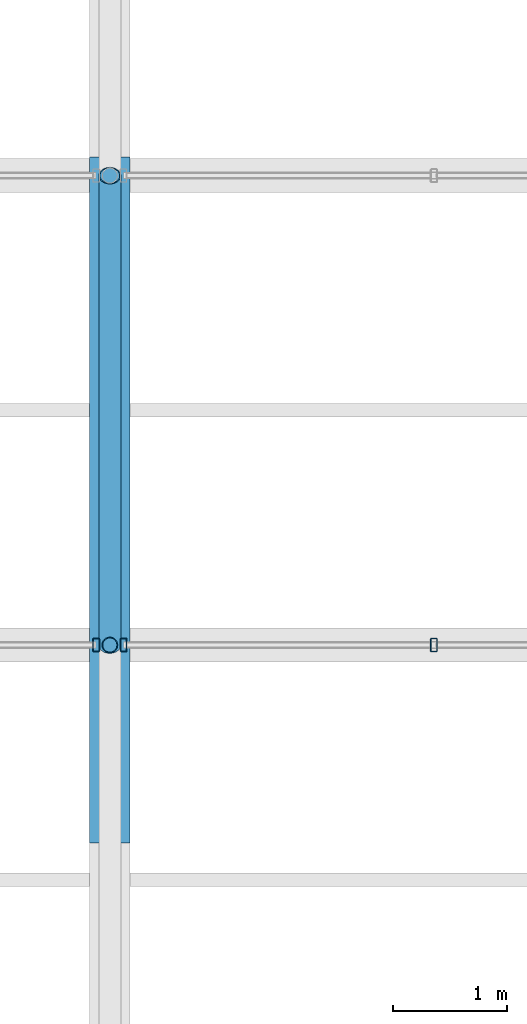
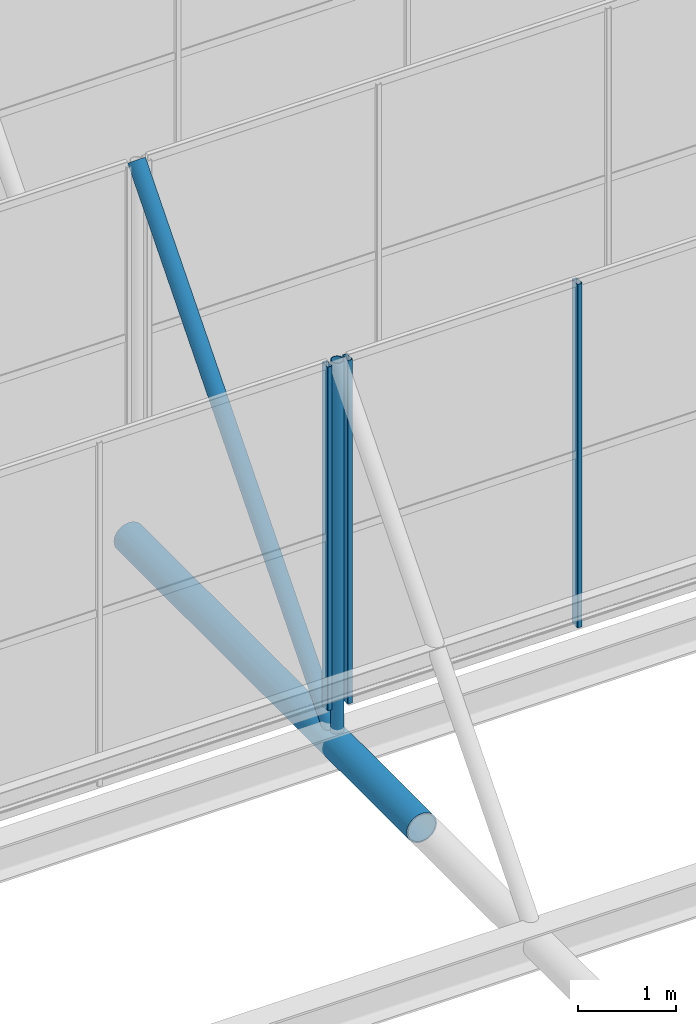
# One storey, part 7 of 77: 6 members, 2 elements without a shape of their own.
"""IFC4 building model written with IfcOpenShell, lengths in metres."""

from ifc_helpers import new_model, si_unit, derived_unit, direction, frame, origin, origin_2d, place, context, subcontext, project, spatial, hollow_rectangle, hollow_circle, extrude, material, material_profile, profile_set, type_object, element, aggregate, save


model = new_model("IFC4")

# Units and contexts
model_context = context("Model", 3, precision=1e-05, world=origin(), true_north=direction((0.0, 1.0)))
body_context = subcontext(model_context, "Body", "Model", "MODEL_VIEW")
ifc_project = project(units=[si_unit("LENGTHUNIT", "METRE"), si_unit("AREAUNIT", "SQUARE_METRE"), si_unit("VOLUMEUNIT", "CUBIC_METRE"), si_unit("PLANEANGLEUNIT", "RADIAN"), si_unit("MASSUNIT", "GRAM", prefix="KILO"), derived_unit("THERMALTRANSMITTANCEUNIT", [(si_unit("MASSUNIT", "GRAM", prefix="KILO"), 1), (si_unit("TIMEUNIT", "SECOND"), -3), (si_unit("THERMODYNAMICTEMPERATUREUNIT", "KELVIN"), -1)])], contexts=[model_context])

# Site, building, storey
site_placement = place(None, origin())
site = spatial("IfcSite", under=ifc_project, at=site_placement, CompositionType="ELEMENT")
building_placement = place(site_placement, origin())
building = spatial("IfcBuilding", under=site, at=building_placement, Name="Kharveza Railside Sports Centre", CompositionType="ELEMENT")
storey_placement = place(building_placement, frame((0.0, 0.0, 17.10009765625)))
storey = spatial("IfcBuildingStorey", under=building, at=storey_placement, Name="L04", CompositionType="ELEMENT", Elevation=17.10009765625)

# Curtain wall, member
ifc_material_1 = material(Name="Low-E solar-control laminated glass", Category="glass")
curtain_wall_type = type_object("IfcCurtainWallType", Name="CW-NL01", PredefinedType="NOTDEFINED", material=ifc_material_1)
curtain_wall_1_placement = place(storey_placement, origin())
curtain_wall_1 = element("IfcCurtainWall", 1, at=curtain_wall_1_placement, inside=storey, type_object=curtain_wall_type, Name="CW-V1NL-1-2", PredefinedType="NOTDEFINED")
ifc_material_2 = material(Name="Anodised aluminium 6063-T6", Category="aluminium")
ifc_material_profile_1 = material_profile(ifc_material_2, hollow_rectangle(XDim=0.06005859375, YDim=0.1201171875, WallThickness=0.0048828125, InnerFilletRadius=0.0048828125, OuterFilletRadius=0.010009765625, at=origin_2d()), Name="RHS 60x120x5.0")
ifc_profile_set_1 = profile_set([ifc_material_profile_1], Name="Anodised aluminium 6063-T6")
member_type_1 = type_object("IfcMemberType", Name="CW-ML05", PredefinedType="MULLION", material=ifc_profile_set_1)
member_1_placement = place(storey_placement, frame((50.280029296875, 40.1142578125, -0.550048828125), z_axis=(0.0, 0.0, 1.0), x_axis=(1.0, 0.0, 0.0)))
member_1 = element("IfcMember", 2, at=member_1_placement, type_object=member_type_1, Name="CW-V1NL-1-2-ML4", PredefinedType="MULLION", context=body_context, shape_type="SweptSolid", body=[
    extrude(hollow_rectangle(XDim=0.06005859375, YDim=0.1201171875, WallThickness=0.0048828125, InnerFilletRadius=0.0048828125, OuterFilletRadius=0.010009765625, at=origin_2d()), origin(), (0.0, 0.0, 1.0), 4.300048828125),
])
aggregate(curtain_wall_1, [member_1])

# Curtain wall, members
curtain_wall_2_placement = place(storey_placement, origin())
curtain_wall_2 = element("IfcCurtainWall", 3, at=curtain_wall_2_placement, inside=storey, type_object=curtain_wall_type, Name="CW-V1NL-1-3", PredefinedType="NOTDEFINED")
member_2_placement = place(storey_placement, frame((50.52001953125, 40.1142578125, -0.550048828125), z_axis=(0.0, 0.0, 1.0), x_axis=(1.0, 0.0, 0.0)))
member_2 = element("IfcMember", 4, at=member_2_placement, type_object=member_type_1, Name="CW-V1NL-1-3-ML1", PredefinedType="MULLION", context=body_context, shape_type="SweptSolid", body=[
    extrude(hollow_rectangle(XDim=0.06005859375, YDim=0.1201171875, WallThickness=0.0048828125, InnerFilletRadius=0.0048828125, OuterFilletRadius=0.010009765625, at=origin_2d()), origin(), (0.0, 0.0, 1.0), 4.300048828125),
])
member_3_placement = place(storey_placement, frame((53.239990234375, 40.1142578125, -0.550048828125), z_axis=(0.0, 0.0, 1.0), x_axis=(1.0, 0.0, 0.0)))
member_3 = element("IfcMember", 5, at=member_3_placement, type_object=member_type_1, Name="CW-V1NL-1-3-ML2", PredefinedType="MULLION", context=body_context, shape_type="SweptSolid", body=[
    extrude(hollow_rectangle(XDim=0.06005859375, YDim=0.1201171875, WallThickness=0.0048828125, InnerFilletRadius=0.0048828125, OuterFilletRadius=0.010009765625, at=origin_2d()), origin(), (0.0, 0.0, 1.0), 4.300048828125),
])
aggregate(curtain_wall_2, [member_2, member_3])

# Members
ifc_material_3 = material(Name="Steel S355J2", Category="steel")
ifc_material_profile_2 = material_profile(ifc_material_3, hollow_circle(Radius=0.177734375, WallThickness=0.01611328125, at=origin_2d()), Name="CHS 355.6x16.0")
ifc_profile_set_2 = profile_set([ifc_material_profile_2], Name="Steel S355J2")
member_type_2 = type_object("IfcMemberType", Name="MB-CH01", PredefinedType="CHORD", material=ifc_profile_set_2)
member_4_placement = place(storey_placement, frame((50.39990234375, 38.380615234375, -1.050048828125), z_axis=(0.0, 1.0, 0.0), x_axis=(-1.0, 0.0, 0.0)))
element("IfcMember", 6, at=member_4_placement, inside=storey, type_object=member_type_2, Name="MB-V1TR-TC-3-3", PredefinedType="CHORD", context=body_context, shape_type="SweptSolid", body=[
    extrude(hollow_circle(Radius=0.177734375, WallThickness=0.01611328125, at=origin_2d()), origin(), (0.0, 0.0, 1.0), 6.009765625),
])
ifc_material_profile_3 = material_profile(ifc_material_3, hollow_circle(Radius=0.096923828125, WallThickness=0.010009765625, at=origin_2d()), Name="CHS 193.7x10.0")
ifc_profile_set_3 = profile_set([ifc_material_profile_3], Name="Steel S355J2")
member_type_3 = type_object("IfcMemberType", Name="MB-ST02", PredefinedType="STRUT", material=ifc_profile_set_3)
member_5_placement = place(storey_placement, frame((50.39990234375, 40.1142578125, -1.050048828125), z_axis=(0.0, 0.650003261435, 0.759931418039), x_axis=(-1.0, 0.0, 0.0)))
element("IfcMember", 7, at=member_5_placement, inside=storey, type_object=member_type_3, Name="MB-V1SAW-RFT-2-3", PredefinedType="STRUT", context=body_context, shape_type="SweptSolid", body=[
    extrude(hollow_circle(Radius=0.096923828125, WallThickness=0.010009765625, at=origin_2d()), origin(), (0.0, 0.0, 1.0), 6.32958984375),
])
ifc_material_profile_4 = material_profile(ifc_material_3, hollow_circle(Radius=0.06982421875, WallThickness=0.008056640625, at=origin_2d()), Name="CHS 139.7x8.0")
ifc_profile_set_4 = profile_set([ifc_material_profile_4], Name="Steel S355J2")
member_type_4 = type_object("IfcMemberType", Name="MB-ST04", PredefinedType="STRUT", material=ifc_profile_set_4)
member_6_placement = place(storey_placement, frame((50.39990234375, 40.1142578125, -1.050048828125), z_axis=(0.0, 0.0, 1.0), x_axis=(1.0, 0.0, 0.0)))
element("IfcMember", 8, at=member_6_placement, inside=storey, type_object=member_type_4, Name="MB-V1SAW-PST-1-3", PredefinedType="STRUT", context=body_context, shape_type="SweptSolid", body=[
    extrude(hollow_circle(Radius=0.06982421875, WallThickness=0.008056640625, at=origin_2d()), origin(), (0.0, 0.0, 1.0), 4.81005859375),
])

save(model, "model.ifc")
